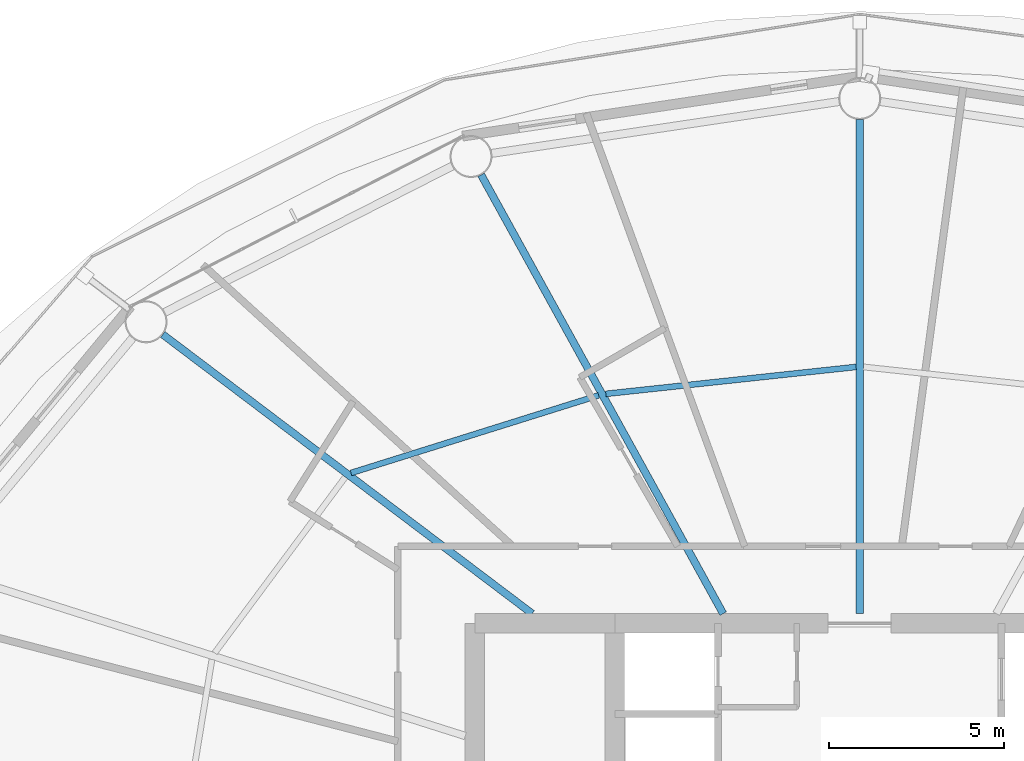
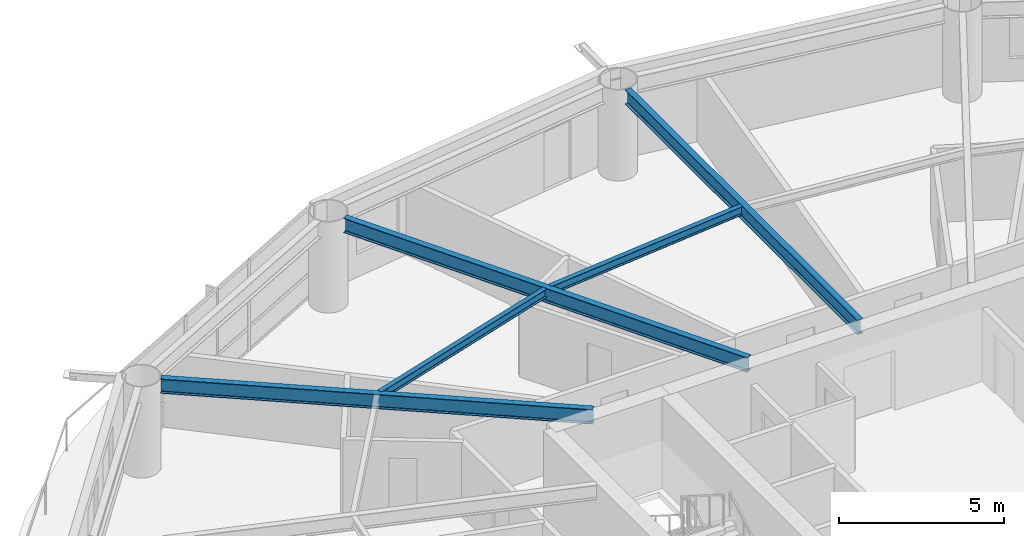
# One storey, part 9 of 24: 5 beams.
"""IFC4 building model written with IfcOpenShell, lengths in metres."""

from ifc_helpers import new_model, si_unit, direction, frame, origin, origin_2d, place, context, subcontext, project, spatial, i_section, extrude, material, material_profile, profile_set, type_object, element, save


model = new_model("IFC4")

# Units and contexts
model_context = context("Model", 3, precision=1e-05, world=origin(), true_north=direction((0.0, 1.0)))
body_context = subcontext(model_context, "Body", "Model", "MODEL_VIEW")
ifc_project = project(units=[si_unit("LENGTHUNIT", "METRE"), si_unit("AREAUNIT", "SQUARE_METRE"), si_unit("VOLUMEUNIT", "CUBIC_METRE"), si_unit("PLANEANGLEUNIT", "RADIAN"), si_unit("MASSUNIT", "GRAM", prefix="KILO")], contexts=[model_context])

# Site, building, storey
site_placement = place(None, origin())
site = spatial("IfcSite", under=ifc_project, at=site_placement, CompositionType="ELEMENT")
building_placement = place(site_placement, origin())
building = spatial("IfcBuilding", under=site, at=building_placement, Name="Sarneth Arch Tower", CompositionType="ELEMENT")
storey_placement = place(building_placement, frame((0.0, 0.0, 105.60009765625)))
storey = spatial("IfcBuildingStorey", under=building, at=storey_placement, Name="L26", CompositionType="ELEMENT", Elevation=105.60009765625)

# Beams
ifc_material_1 = material(Name="Steel S355", Category="steel")
ifc_material_profile_1 = material_profile(ifc_material_1, i_section(OverallWidth=0.1669921875, OverallDepth=0.31689453125, WebThickness=0.007568359375, FlangeThickness=0.01318359375, FilletRadius=0.012939453125, at=origin_2d()), Name="W310x52")
ifc_profile_set_1 = profile_set([ifc_material_profile_1], Name="Steel S355")
beam_type_1 = type_object("IfcBeamType", Name="BM-JOIST-310B", PredefinedType="JOIST", material=ifc_profile_set_1)
beam_1_placement = place(storey_placement, frame((47.89501953125, 56.126220703125, 3.221435546875), z_axis=(-0.994257420028, -0.107014871487, 0.0), x_axis=(0.107014871487, -0.994257420028, 0.0)))
element("IfcBeam", 1, at=beam_1_placement, inside=storey, type_object=beam_type_1, Name="L26 Secondary floor joist 05", PredefinedType="JOIST", context=body_context, shape_type="SweptSolid", body=[
    extrude(i_section(OverallWidth=0.1669921875, OverallDepth=0.31689453125, WebThickness=0.007568359375, FlangeThickness=0.01318359375, FilletRadius=0.012939453125, at=origin_2d()), origin(), (0.0, 0.0, 1.0), 7.193115234375),
])
beam_2_placement = place(storey_placement, frame((40.53759765625, 55.3134765625, 3.221435546875), z_axis=(-0.954245982384, -0.299022750146, 0.0), x_axis=(0.299022750146, -0.954245982384, 0.0)))
element("IfcBeam", 2, at=beam_2_placement, inside=storey, type_object=beam_type_1, Name="L26 Secondary floor joist 06", PredefinedType="JOIST", context=body_context, shape_type="SweptSolid", body=[
    extrude(i_section(OverallWidth=0.1669921875, OverallDepth=0.31689453125, WebThickness=0.007568359375, FlangeThickness=0.01318359375, FilletRadius=0.012939453125, at=origin_2d()), origin(), (0.0, 0.0, 1.0), 7.416748046875),
])
ifc_material_2 = material(Name="Steel S355", Category="steel")
ifc_material_profile_2 = material_profile(ifc_material_2, i_section(OverallWidth=0.2109375, OverallDepth=0.5390625, WebThickness=0.01171875, FlangeThickness=0.018798828125, FilletRadius=0.01806640625, at=origin_2d()), Name="W530x109")
ifc_profile_set_2 = profile_set([ifc_material_profile_2], Name="Steel S355")
beam_type_2 = type_object("IfcBeamType", Name="BM-RAD-530B", PredefinedType="BEAM", material=ifc_profile_set_2)
beam_3_placement = place(storey_placement, frame((48.0, 49.074951171875, 3.1103515625), z_axis=(0.0, 1.0, 0.0), x_axis=(-1.0, 0.0, 0.0)))
element("IfcBeam", 3, at=beam_3_placement, inside=storey, type_object=beam_type_2, Name="L26 Radial floor girder 05", PredefinedType="BEAM", context=body_context, shape_type="SweptSolid", body=[
    extrude(i_section(OverallWidth=0.2109375, OverallDepth=0.5390625, WebThickness=0.01171875, FlangeThickness=0.018798828125, FilletRadius=0.01806640625, at=origin_2d()), origin(), (0.0, 0.0, 1.0), 14.125),
])
beam_4_placement = place(storey_placement, frame((44.09716796875, 49.074951171875, 3.1103515625), z_axis=(-0.483021011336, 0.875608761153, 0.0), x_axis=(-0.875608761153, -0.483021011336, 0.0)))
element("IfcBeam", 4, at=beam_4_placement, inside=storey, type_object=beam_type_2, Name="L26 Radial floor girder 06", PredefinedType="BEAM", context=body_context, shape_type="SweptSolid", body=[
    extrude(i_section(OverallWidth=0.2109375, OverallDepth=0.5390625, WebThickness=0.01171875, FlangeThickness=0.018798828125, FilletRadius=0.01806640625, at=origin_2d()), origin(), (0.0, 0.0, 1.0), 14.32177734375),
])
beam_5_placement = place(storey_placement, frame((38.63818359375, 49.074951171875, 3.1103515625), z_axis=(-0.797802835234, 0.602918432371, 0.0), x_axis=(-0.602918432371, -0.797802835234, 0.0)))
element("IfcBeam", 5, at=beam_5_placement, inside=storey, type_object=beam_type_2, Name="L26 Radial floor girder 07", PredefinedType="BEAM", context=body_context, shape_type="SweptSolid", body=[
    extrude(i_section(OverallWidth=0.2109375, OverallDepth=0.5390625, WebThickness=0.01171875, FlangeThickness=0.018798828125, FilletRadius=0.01806640625, at=origin_2d()), origin(), (0.0, 0.0, 1.0), 13.232666015625),
])

save(model, "model.ifc")
